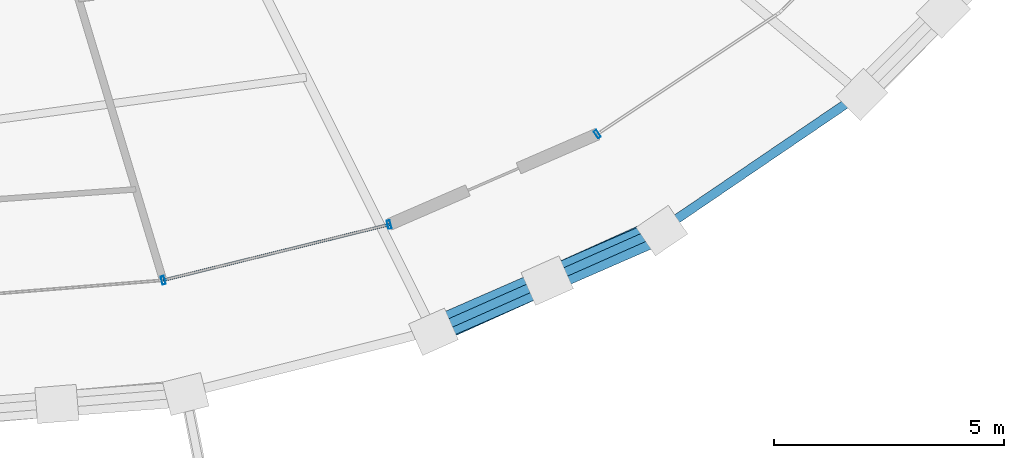
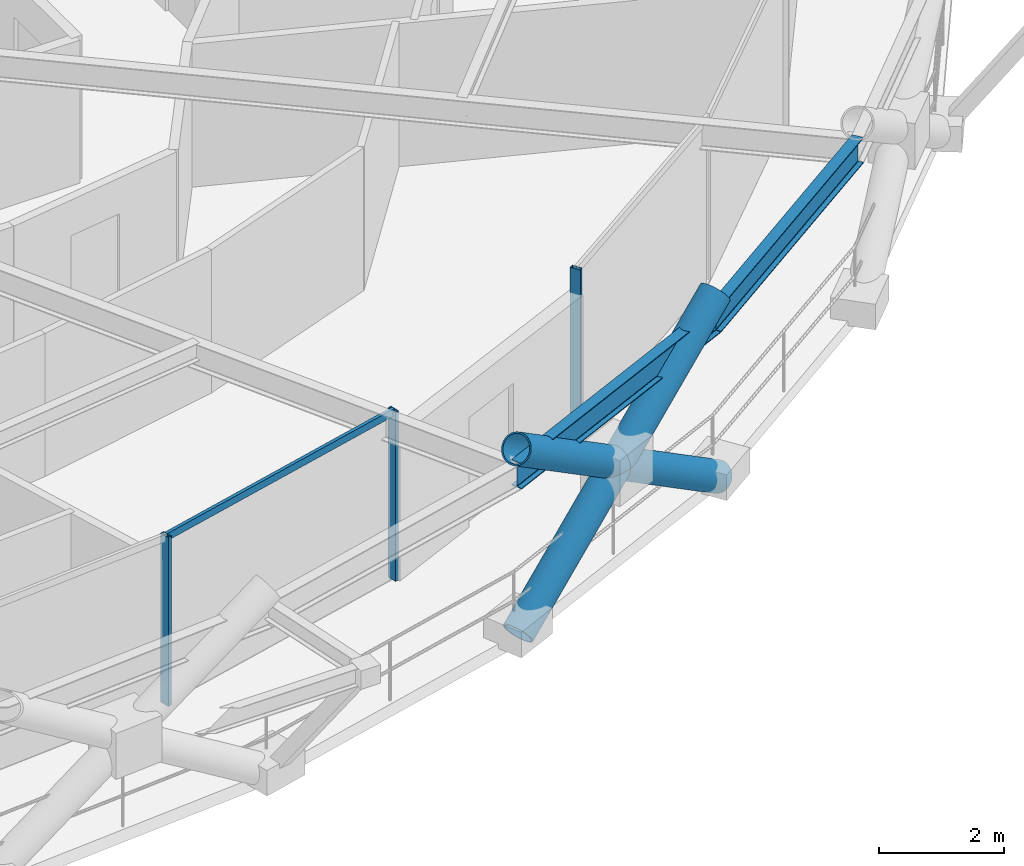
# One storey, part 5 of 21: 7 members, 2 beams, 2 elements without a shape of their own.
"""IFC4 building model written with IfcOpenShell, lengths in metres."""

from ifc_helpers import new_model, si_unit, direction, frame, origin, origin_2d, place, context, subcontext, project, spatial, hollow_rectangle, hollow_circle, i_section, extrude, material, layer, layer_set, material_profile, profile_set, type_object, element, aggregate, save


model = new_model("IFC4")

# Units and contexts
model_context = context("Model", 3, precision=1e-05, world=origin(), true_north=direction((0.0, 1.0)))
body_context = subcontext(model_context, "Body", "Model", "MODEL_VIEW")
ifc_project = project(units=[si_unit("LENGTHUNIT", "METRE"), si_unit("AREAUNIT", "SQUARE_METRE"), si_unit("VOLUMEUNIT", "CUBIC_METRE"), si_unit("PLANEANGLEUNIT", "RADIAN"), si_unit("MASSUNIT", "GRAM", prefix="KILO")], contexts=[model_context])

# Site, building, storey
site_placement = place(None, origin())
site = spatial("IfcSite", under=ifc_project, at=site_placement, CompositionType="ELEMENT")
building_placement = place(site_placement, origin())
building = spatial("IfcBuilding", under=site, at=building_placement, Name="Veldorina Hangang Commons", CompositionType="ELEMENT")
storey_placement = place(building_placement, frame((0.0, 0.0, 120.800048828125)))
storey = spatial("IfcBuildingStorey", under=building, at=storey_placement, Name="L30", CompositionType="ELEMENT", Elevation=120.800048828125)

# Beams
ifc_material_1 = material(Name="Steel SM420-TMC", Category="steel")
ifc_material_profile_1 = material_profile(ifc_material_1, i_section(OverallWidth=0.199951171875, OverallDepth=0.5, WebThickness=0.010009765625, FlangeThickness=0.01611328125, FilletRadius=0.01611328125, at=origin_2d()), Name="H-500x200x10x16")
ifc_profile_set_1 = profile_set([ifc_material_profile_1], Name="Steel SM420-TMC")
beam_type = type_object("IfcBeamType", Name="BM-RB500", PredefinedType="BEAM", material=ifc_profile_set_1)
beam_1_placement = place(storey_placement, frame((42.95703125, 2.064697265625, 3.099853515625), z_axis=(0.914221993939, 0.405213703863, 0.0), x_axis=(-0.405213703863, 0.914221993939, 0.0)))
element("IfcBeam", 1, at=beam_1_placement, inside=storey, type_object=beam_type, Name="L30 perimeter hoop ring beam 26", PredefinedType="BEAM", context=body_context, shape_type="SweptSolid", body=[
    extrude(i_section(OverallWidth=0.199951171875, OverallDepth=0.5, WebThickness=0.010009765625, FlangeThickness=0.01611328125, FilletRadius=0.01611328125, at=origin_2d()), origin(), (0.0, 0.0, 1.0), 5.41455078125),
])
beam_2_placement = place(storey_placement, frame((47.9072265625, 4.2587890625, 3.099853515625), z_axis=(0.826730910528, 0.562597548499, 0.0), x_axis=(-0.562597548499, 0.826730910528, 0.0)))
element("IfcBeam", 2, at=beam_2_placement, inside=storey, type_object=beam_type, Name="L30 perimeter hoop ring beam 27", PredefinedType="BEAM", context=body_context, shape_type="SweptSolid", body=[
    extrude(i_section(OverallWidth=0.199951171875, OverallDepth=0.5, WebThickness=0.010009765625, FlangeThickness=0.01611328125, FilletRadius=0.01611328125, at=origin_2d()), origin(), (0.0, 0.0, 1.0), 5.248291015625),
])

# Curtain wall, members
ifc_material_2 = material(Name="Glass Low-E Triple IGU", Category="glass")
ifc_layer = layer(ifc_material_2, 0.179931640625)
ifc_layer_set = layer_set([ifc_layer], Name="Glass Low-E Triple IGU")
curtain_wall_type = type_object("IfcCurtainWallType", Name="CW-SYS-Z2", PredefinedType="NOTDEFINED", material=ifc_layer_set)
curtain_wall_1_placement = place(storey_placement, origin())
curtain_wall_1 = element("IfcCurtainWall", 3, at=curtain_wall_1_placement, inside=storey, type_object=curtain_wall_type, Name="L30 unitised curtain wall CW-L30-R1", PredefinedType="NOTDEFINED")
ifc_material_3 = material(Name="Aluminium Anodized AA6063-T6", Category="aluminium")
ifc_material_profile_2 = material_profile(ifc_material_3, hollow_rectangle(XDim=0.070068359375, YDim=0.179931640625, WallThickness=0.00390625, at=origin_2d()), Name="ALU-RHS-180x70x4")
ifc_profile_set_2 = profile_set([ifc_material_profile_2], Name="Aluminium Anodized AA6063-T6")
member_type_1 = type_object("IfcMemberType", Name="CW-MUL-180", PredefinedType="MULLION", material=ifc_profile_set_2)
member_1_placement = place(storey_placement, frame((37.10107421875, 3.161376953125, 0.0), z_axis=(0.0, 0.0, 1.0), x_axis=(0.970942460014, 0.23931305719, 0.0)))
member_1 = element("IfcMember", 4, at=member_1_placement, type_object=member_type_1, Name="CW-L30-R1 vertical mullion 4", PredefinedType="MULLION", context=body_context, shape_type="SweptSolid", body=[
    extrude(hollow_rectangle(XDim=0.070068359375, YDim=0.179931640625, WallThickness=0.00390625, at=origin_2d()), origin(), (0.0, 0.0, 1.0), 3.31005859375),
])
member_2_placement = place(storey_placement, frame((42.006103515625, 4.370361328125, 0.0), z_axis=(0.0, 0.0, 1.0), x_axis=(-0.970942460014, -0.23931305719, 0.0)))
member_2 = element("IfcMember", 5, at=member_2_placement, type_object=member_type_1, Name="CW-L30-R1 vertical mullion 5", PredefinedType="MULLION", context=body_context, shape_type="SweptSolid", body=[
    extrude(hollow_rectangle(XDim=0.070068359375, YDim=0.179931640625, WallThickness=0.00390625, at=origin_2d()), origin(), (0.0, 0.0, 1.0), 3.31005859375),
])

# Curtain wall, member
curtain_wall_2_placement = place(storey_placement, origin())
curtain_wall_2 = element("IfcCurtainWall", 6, at=curtain_wall_2_placement, inside=storey, type_object=curtain_wall_type, Name="L30 unitised curtain wall CW-L30-R2", PredefinedType="NOTDEFINED")
member_3_placement = place(storey_placement, frame((46.526611328125, 6.333740234375, 0.0), z_axis=(0.0, 0.0, 1.0), x_axis=(0.831963805866, 0.554829907025, 0.0)))
member_3 = element("IfcMember", 7, at=member_3_placement, type_object=member_type_1, Name="CW-L30-R2 vertical mullion 1", PredefinedType="MULLION", context=body_context, shape_type="SweptSolid", body=[
    extrude(hollow_rectangle(XDim=0.070068359375, YDim=0.179931640625, WallThickness=0.00390625, at=origin_2d()), origin(), (0.0, 0.0, 1.0), 3.31005859375),
])
aggregate(curtain_wall_2, [member_3])

# Member
ifc_material_profile_3 = material_profile(ifc_material_3, hollow_rectangle(XDim=0.06005859375, YDim=0.139892578125, WallThickness=0.00341796875, at=origin_2d()), Name="ALU-RHS-140x60x3.5")
ifc_profile_set_3 = profile_set([ifc_material_profile_3], Name="Aluminium Anodized AA6063-T6")
member_type_2 = type_object("IfcMemberType", Name="CW-TRN-140", PredefinedType="USERDEFINED", material=ifc_profile_set_3)
member_4_placement = place(storey_placement, frame((37.10107421875, 3.161376953125, 3.27001953125), z_axis=(0.970941668594, 0.239316268124, 0.0), x_axis=(-0.239316268124, 0.970941668594, 0.0)))
member_4 = element("IfcMember", 8, at=member_4_placement, type_object=member_type_2, Name="CW-L30-R1 facet 4 transom 1", ObjectType="TRANSOM", PredefinedType="USERDEFINED", context=body_context, shape_type="SweptSolid", body=[
    extrude(hollow_rectangle(XDim=0.06005859375, YDim=0.139892578125, WallThickness=0.00341796875, at=origin_2d()), origin(), (0.0, 0.0, 1.0), 5.0517578125),
])

aggregate(curtain_wall_1, [member_1, member_2, member_4])

# Members
ifc_material_profile_4 = material_profile(ifc_material_1, hollow_circle(Radius=0.27490234375, WallThickness=0.028076171875, at=origin_2d()), Name="CHS-550x28")
ifc_profile_set_4 = profile_set([ifc_material_profile_4], Name="Steel SM420-TMC")
member_type_3 = type_object("IfcMemberType", Name="DG-CHS550", PredefinedType="BRACE", material=ifc_profile_set_4)
member_5_placement = place(storey_placement, frame((42.970458984375, 2.042236328125, 0.0), z_axis=(0.759216045998, 0.341624678655, 0.553970734275), x_axis=(-0.410342160484, 0.911931637421, 0.0)))
element("IfcMember", 9, at=member_5_placement, inside=storey, type_object=member_type_3, Name="L30 continuous perimeter diagrid brace 26", PredefinedType="BRACE", context=body_context, shape_type="SweptSolid", body=[
    extrude(hollow_circle(Radius=0.27490234375, WallThickness=0.028076171875, at=origin_2d()), origin(), (0.0, 0.0, 1.0), 6.498291015625),
])
member_6_placement = place(storey_placement, frame((47.926513671875, 4.238525390625, 0.0), z_axis=(-0.763641180418, -0.33329201387, 0.552963453639), x_axis=(0.400011774501, -0.916510000088, 0.0)))
element("IfcMember", 10, at=member_6_placement, inside=storey, type_object=member_type_3, Name="L30 split perimeter diagrid lower brace 27", PredefinedType="BRACE", context=body_context, shape_type="SweptSolid", body=[
    extrude(hollow_circle(Radius=0.27490234375, WallThickness=0.028076171875, at=origin_2d()), origin(), (0.0, 0.0, 1.0), 3.257568359375),
])
member_7_placement = place(storey_placement, frame((45.43896484375, 3.15283203125, 1.80126953125), z_axis=(-0.763647298112, -0.333378014567, 0.552903159233), x_axis=(0.400095777998, -0.916473332088, 0.0)))
element("IfcMember", 11, at=member_7_placement, inside=storey, type_object=member_type_3, Name="L30 split perimeter diagrid upper brace 27", PredefinedType="BRACE", context=body_context, shape_type="SweptSolid", body=[
    extrude(hollow_circle(Radius=0.27490234375, WallThickness=0.028076171875, at=origin_2d()), origin(), (0.0, 0.0, 1.0), 3.2529296875),
])

save(model, "model.ifc")
